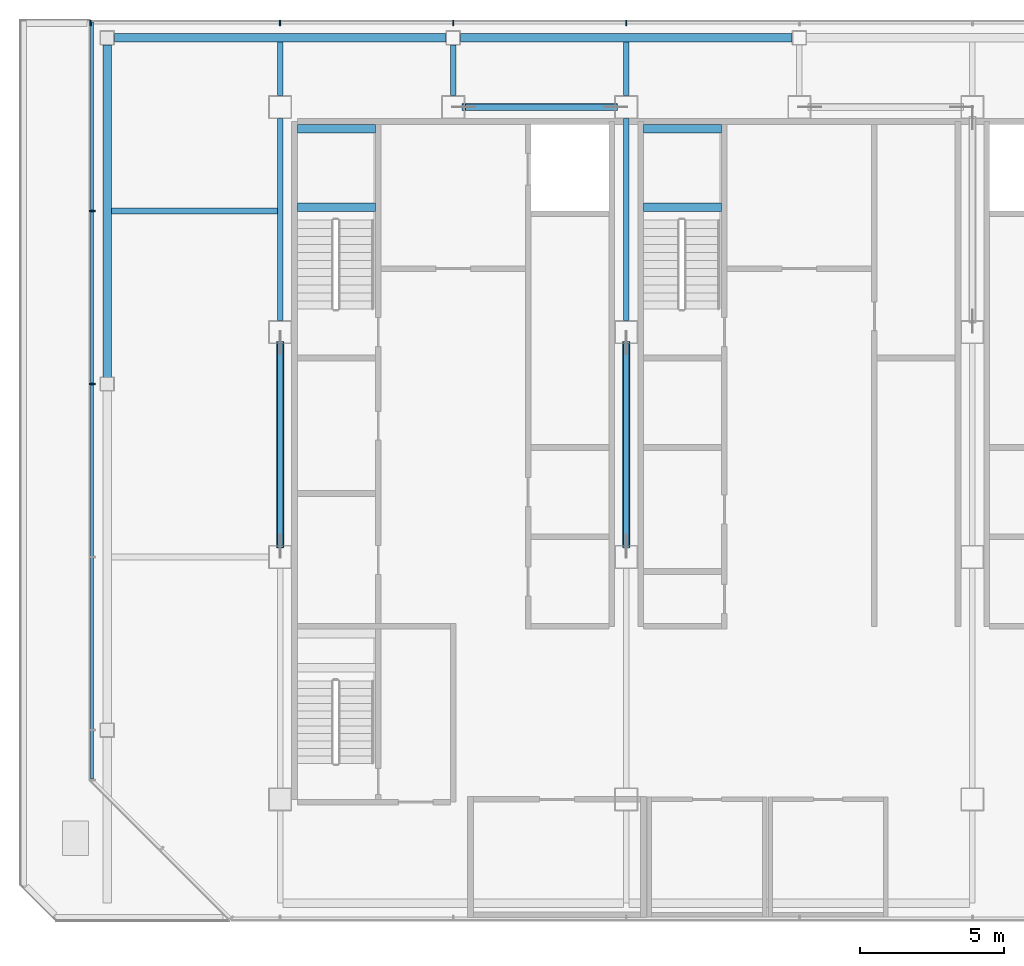
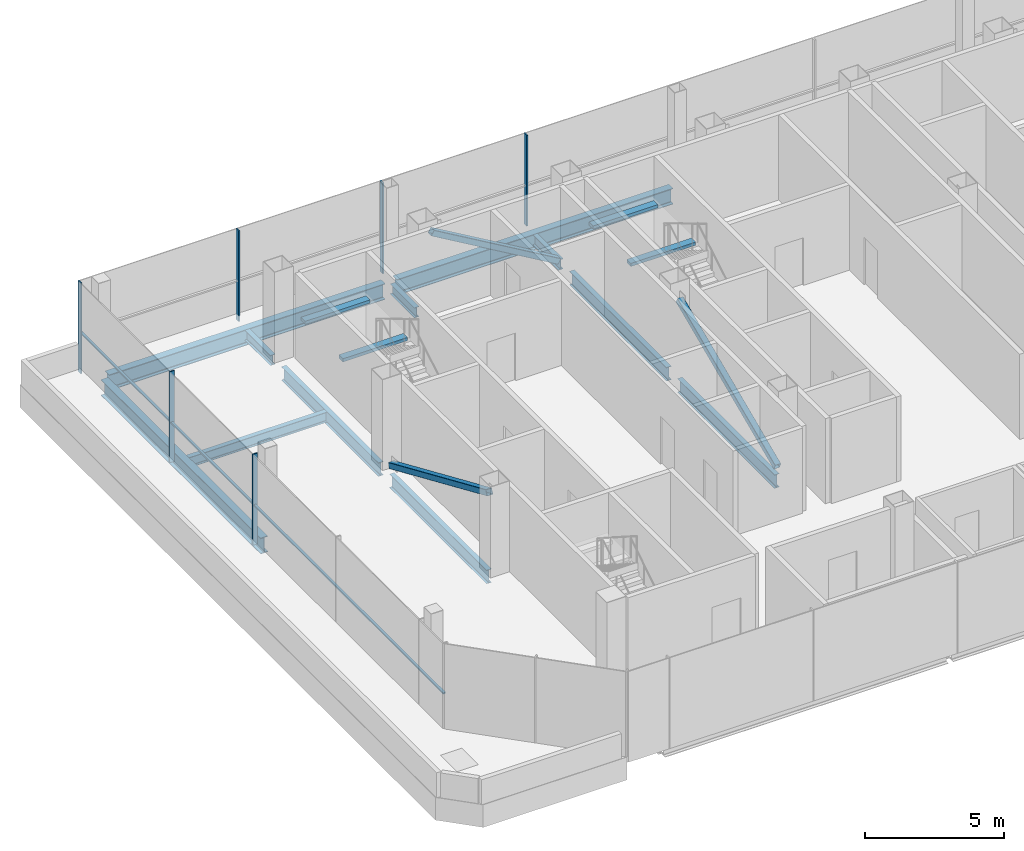
# One storey, part 4 of 11: 15 beams, 10 members, 2 elements without a shape of their own.
"""IFC4 building model written with IfcOpenShell, lengths in metres."""

from ifc_helpers import new_model, si_unit, direction, frame, origin, origin_2d, place, context, subcontext, project, spatial, rectangle, hollow_rectangle, i_section, extrude, material, material_profile, profile_set, type_object, element, aggregate, save


model = new_model("IFC4")

# Units and contexts
model_context = context("Model", 3, precision=1e-05, world=origin(), true_north=direction((0.0, 1.0)))
body_context = subcontext(model_context, "Body", "Model", "MODEL_VIEW")
ifc_project = project(units=[si_unit("LENGTHUNIT", "METRE"), si_unit("AREAUNIT", "SQUARE_METRE"), si_unit("VOLUMEUNIT", "CUBIC_METRE"), si_unit("PLANEANGLEUNIT", "RADIAN"), si_unit("MASSUNIT", "GRAM", prefix="KILO")], contexts=[model_context])

# Site, building, storey
site_placement = place(None, origin())
site = spatial("IfcSite", under=ifc_project, at=site_placement, CompositionType="ELEMENT")
building_placement = place(site_placement, origin())
building = spatial("IfcBuilding", under=site, at=building_placement, Name="Sorahane Residences", CompositionType="ELEMENT")
storey_placement = place(building_placement, frame((0.0, 0.0, 349.800048828125)))
storey = spatial("IfcBuildingStorey", under=building, at=storey_placement, Name="L83", CompositionType="ELEMENT", Elevation=349.800048828125)

# Members
ifc_material_1 = material(Name="Steel Q355B", Category="steel")
ifc_material_profile_1 = material_profile(ifc_material_1, hollow_rectangle(XDim=0.25, YDim=0.25, WallThickness=0.011962890625, InnerFilletRadius=0.006103515625, OuterFilletRadius=0.01806640625, at=origin_2d()), Name="RHS 250x250x12")
ifc_profile_set_1 = profile_set([ifc_material_profile_1], Name="Steel Q355B")
member_type_1 = type_object("IfcMemberType", Name="Core brace RHS 250x250x12 Q355B", PredefinedType="BRACE", material=ifc_profile_set_1)
member_1_placement = place(storey_placement, frame((17.637939453125, 45.60009765625, 0.102783203125), z_axis=(-0.862574842184, 0.0, 0.505929482864), x_axis=(0.0, -1.0, 0.0)))
element("IfcMember", 1, at=member_1_placement, inside=storey, type_object=member_type_1, Name="Core brace L83 y45.6-2", PredefinedType="BRACE", context=body_context, shape_type="SweptSolid", body=[
    extrude(hollow_rectangle(XDim=0.25, YDim=0.25, WallThickness=0.011962890625, InnerFilletRadius=0.006103515625, OuterFilletRadius=0.01806640625, at=origin_2d()), origin(), (0.0, 0.0, 1.0), 6.116455078125),
])
for number, where, z_axis, x_axis, name in (
    (2, (6.0, 37.429931640625, 0.11181640625), (0.0, -0.916752232611, 0.399456310506), (1.0, 0.0, 0.0), "Core brace L83 x6-2"),
    (3, (18.0, 30.3701171875, 0.11181640625), (0.0, 0.916752232611, 0.399456310506), (-1.0, 0.0, 0.0), "Core brace L83 x18-1"),
):
    element("IfcMember", number, at=place(storey_placement, frame(where, z_axis=z_axis, x_axis=x_axis)), inside=storey, type_object=member_type_1, Name=name, PredefinedType="BRACE", context=body_context, shape_type="SweptSolid", body=[
        extrude(hollow_rectangle(XDim=0.25, YDim=0.25, WallThickness=0.011962890625, InnerFilletRadius=0.006103515625, OuterFilletRadius=0.01806640625, at=origin_2d()), origin(), (0.0, 0.0, 1.0), 7.700927734375),
    ])

# Curtain wall, members
ifc_material_2 = material(Name="Dark low-e glass and black anodised aluminium", Category="aluminium")
curtain_wall_type = type_object("IfcCurtainWallType", Name="Curtain wall CW-6 Crown unitised wall", PredefinedType="NOTDEFINED", material=ifc_material_2)
curtain_wall_1_placement = place(storey_placement, origin())
curtain_wall_1 = element("IfcCurtainWall", 4, at=curtain_wall_1_placement, inside=storey, type_object=curtain_wall_type, Name="CW-6 curtain wall L83 N1", PredefinedType="NOTDEFINED")
ifc_material_3 = material(Name="Black anodised aluminium", Category="aluminium")
ifc_material_profile_2 = material_profile(ifc_material_3, rectangle(XDim=0.199951171875, YDim=0.050048828125, at=origin_2d()), Name="Curtain wall mullion CW-6 black anodised aluminium 50x200")
ifc_profile_set_2 = profile_set([ifc_material_profile_2], Name="Black anodised aluminium")
member_type_2 = type_object("IfcMemberType", Name="Curtain wall mullion CW-6 black anodised aluminium 50x200", PredefinedType="MULLION", material=ifc_profile_set_2)
member_2_placement = place(storey_placement, frame((18.0, 48.52001953125, -0.25), z_axis=(0.0, 0.0, 1.0), x_axis=(0.0, 1.0, 0.0)))
member_2 = element("IfcMember", 5, at=member_2_placement, type_object=member_type_2, Name="CW-6 mullion L83 N1.5", PredefinedType="MULLION", context=body_context, shape_type="SweptSolid", body=[
    extrude(rectangle(XDim=0.199951171875, YDim=0.050048828125, at=origin_2d()), origin(), (0.0, 0.0, 1.0), 4.0),
])
member_3_placement = place(storey_placement, frame((12.0, 48.52001953125, -0.25), z_axis=(0.0, 0.0, 1.0), x_axis=(0.0, 1.0, 0.0)))
member_3 = element("IfcMember", 6, at=member_3_placement, type_object=member_type_2, Name="CW-6 mullion L83 N1.6", PredefinedType="MULLION", context=body_context, shape_type="SweptSolid", body=[
    extrude(rectangle(XDim=0.199951171875, YDim=0.050048828125, at=origin_2d()), origin(), (0.0, 0.0, 1.0), 4.0),
])
member_4_placement = place(storey_placement, frame((6.0, 48.52001953125, -0.25), z_axis=(0.0, 0.0, 1.0), x_axis=(0.0, 1.0, 0.0)))
member_4 = element("IfcMember", 7, at=member_4_placement, type_object=member_type_2, Name="CW-6 mullion L83 N1.7", PredefinedType="MULLION", context=body_context, shape_type="SweptSolid", body=[
    extrude(rectangle(XDim=0.199951171875, YDim=0.050048828125, at=origin_2d()), origin(), (0.0, 0.0, 1.0), 4.0),
])
member_5_placement = place(storey_placement, frame((-0.574951171875, 48.52001953125, -0.25), z_axis=(0.0, 0.0, 1.0), x_axis=(0.0, 1.0, 0.0)))
member_5 = element("IfcMember", 8, at=member_5_placement, type_object=member_type_2, Name="CW-6 mullion L83 N1.8", PredefinedType="MULLION", context=body_context, shape_type="SweptSolid", body=[
    extrude(rectangle(XDim=0.199951171875, YDim=0.050048828125, at=origin_2d()), origin(), (0.0, 0.0, 1.0), 4.0),
])
aggregate(curtain_wall_1, [member_2, member_3, member_4, member_5])

curtain_wall_2_placement = place(storey_placement, origin())
curtain_wall_2 = element("IfcCurtainWall", 9, at=curtain_wall_2_placement, inside=storey, type_object=curtain_wall_type, Name="CW-6 curtain wall L83 W1", PredefinedType="NOTDEFINED")
member_6_placement = place(storey_placement, frame((-0.52001953125, 42.0, -0.25), z_axis=(0.0, 0.0, 1.0), x_axis=(-1.0, 0.0, 0.0)))
member_6 = element("IfcMember", 10, at=member_6_placement, type_object=member_type_2, Name="CW-6 mullion L83 W1.2", PredefinedType="MULLION", context=body_context, shape_type="SweptSolid", body=[
    extrude(rectangle(XDim=0.199951171875, YDim=0.050048828125, at=origin_2d()), origin(), (0.0, 0.0, 1.0), 4.0),
])
member_7_placement = place(storey_placement, frame((-0.52001953125, 36.0, -0.25), z_axis=(0.0, 0.0, 1.0), x_axis=(-1.0, 0.0, 0.0)))
member_7 = element("IfcMember", 11, at=member_7_placement, type_object=member_type_2, Name="CW-6 mullion L83 W1.3", PredefinedType="MULLION", context=body_context, shape_type="SweptSolid", body=[
    extrude(rectangle(XDim=0.199951171875, YDim=0.050048828125, at=origin_2d()), origin(), (0.0, 0.0, 1.0), 4.0),
])
ifc_material_4 = material(Name="Black anodised aluminium", Category="aluminium")
ifc_material_profile_3 = material_profile(ifc_material_4, rectangle(XDim=0.10009765625, YDim=0.06005859375, at=origin_2d()), Name="Curtain wall transom CW-6 black anodised aluminium 60x100")
ifc_profile_set_3 = profile_set([ifc_material_profile_3], Name="Black anodised aluminium")
member_type_3 = type_object("IfcMemberType", Name="Curtain wall transom CW-6 black anodised aluminium 60x100", PredefinedType="USERDEFINED", material=ifc_profile_set_3)
member_8_placement = place(storey_placement, frame((-0.530029296875, 48.550048828125, 1.5), z_axis=(0.0, -1.0, 0.0), x_axis=(1.0, 0.0, 0.0)))
member_8 = element("IfcMember", 12, at=member_8_placement, type_object=member_type_3, Name="CW-6 transom L83 W1", ObjectType="TRANSOM", PredefinedType="USERDEFINED", context=body_context, shape_type="SweptSolid", body=[
    extrude(rectangle(XDim=0.10009765625, YDim=0.06005859375, at=origin_2d()), origin(), (0.0, 0.0, 1.0), 26.24853515625),
])
aggregate(curtain_wall_2, [member_6, member_7, member_8])

# Beams
ifc_material_5 = material(Name="Concrete C40", Category="concrete")
ifc_material_profile_4 = material_profile(ifc_material_5, rectangle(XDim=0.300048828125, YDim=0.139892578125, at=origin_2d()), Name="300x140")
ifc_profile_set_4 = profile_set([ifc_material_profile_4], Name="Concrete C40")
beam_type_1 = type_object("IfcBeamType", Name="RC landing beam 300 x 140 Concrete C40", PredefinedType="BEAM", material=ifc_profile_set_4)
for number, where, z_axis, x_axis, name in (
    (13, (6.60009765625, 42.1298828125, 1.72998046875), (1.0, 0.0, 0.0), (0.0, 1.0, 0.0), "Landing beam"),
    (14, (6.60009765625, 44.85009765625, 1.72998046875), (1.0, 0.0, 0.0), (0.0, 1.0, 0.0), "Landing beam"),
    (15, (18.60009765625, 42.1298828125, 1.72998046875), (1.0, 0.0, 0.0), (0.0, 1.0, 0.0), "Landing beam"),
    (16, (18.60009765625, 44.85009765625, 1.72998046875), (1.0, 0.0, 0.0), (0.0, 1.0, 0.0), "Landing beam"),
):
    element("IfcBeam", number, at=place(storey_placement, frame(where, z_axis=z_axis, x_axis=x_axis)), inside=storey, type_object=beam_type_1, Name=name, PredefinedType="BEAM", context=body_context, shape_type="SweptSolid", body=[
        extrude(rectangle(XDim=0.300048828125, YDim=0.139892578125, at=origin_2d()), origin(), (0.0, 0.0, 1.0), 2.699951171875),
    ])
ifc_material_6 = material(Name="Steel Q355B", Category="steel")
ifc_material_profile_5 = material_profile(ifc_material_6, i_section(OverallWidth=0.199951171875, OverallDepth=0.449951171875, WebThickness=0.009033203125, FlangeThickness=0.013916015625, FilletRadius=0.02001953125, at=origin_2d()), Name="HN 450x200x9x14")
ifc_profile_set_5 = profile_set([ifc_material_profile_5], Name="Steel Q355B")
beam_type_2 = type_object("IfcBeamType", Name="Steel floor beam HN 450x200x9x14 Q355B", PredefinedType="BEAM", material=ifc_profile_set_5)
beam_1_placement = place(storey_placement, frame((6.0, 46.0, -0.47509765625), z_axis=(0.0, 1.0, 0.0), x_axis=(-1.0, 0.0, 0.0)))
element("IfcBeam", 17, at=beam_1_placement, inside=storey, type_object=beam_type_2, Name="Beam L83 010", PredefinedType="BEAM", context=body_context, shape_type="SweptSolid", body=[
    extrude(i_section(OverallWidth=0.199951171875, OverallDepth=0.449951171875, WebThickness=0.009033203125, FlangeThickness=0.013916015625, FilletRadius=0.02001953125, at=origin_2d()), origin(), (0.0, 0.0, 1.0), 1.85009765625),
])
beam_2_placement = place(storey_placement, frame((12.0, 46.0, -0.47509765625), z_axis=(0.0, 1.0, 0.0), x_axis=(-1.0, 0.0, 0.0)))
element("IfcBeam", 18, at=beam_2_placement, inside=storey, type_object=beam_type_2, Name="Beam L83 012", PredefinedType="BEAM", context=body_context, shape_type="SweptSolid", body=[
    extrude(i_section(OverallWidth=0.199951171875, OverallDepth=0.449951171875, WebThickness=0.009033203125, FlangeThickness=0.013916015625, FilletRadius=0.02001953125, at=origin_2d()), origin(), (0.0, 0.0, 1.0), 1.75),
])
beam_3_placement = place(storey_placement, frame((18.0, 46.0, -0.47509765625), z_axis=(0.0, 1.0, 0.0), x_axis=(-1.0, 0.0, 0.0)))
element("IfcBeam", 19, at=beam_3_placement, inside=storey, type_object=beam_type_2, Name="Beam L83 016", PredefinedType="BEAM", context=body_context, shape_type="SweptSolid", body=[
    extrude(i_section(OverallWidth=0.199951171875, OverallDepth=0.449951171875, WebThickness=0.009033203125, FlangeThickness=0.013916015625, FilletRadius=0.02001953125, at=origin_2d()), origin(), (0.0, 0.0, 1.0), 1.85009765625),
])
beam_4_placement = place(storey_placement, frame((0.14990234375, 42.0, -0.47509765625), z_axis=(1.0, 0.0, 0.0), x_axis=(0.0, 1.0, 0.0)))
element("IfcBeam", 20, at=beam_4_placement, inside=storey, type_object=beam_type_2, Name="Beam L83 030", PredefinedType="BEAM", context=body_context, shape_type="SweptSolid", body=[
    extrude(i_section(OverallWidth=0.199951171875, OverallDepth=0.449951171875, WebThickness=0.009033203125, FlangeThickness=0.013916015625, FilletRadius=0.02001953125, at=origin_2d()), origin(), (0.0, 0.0, 1.0), 5.75),
])
ifc_material_7 = material(Name="Steel Q355B", Category="steel")
ifc_material_profile_6 = material_profile(ifc_material_7, i_section(OverallWidth=0.199951171875, OverallDepth=0.60009765625, WebThickness=0.010986328125, FlangeThickness=0.01708984375, FilletRadius=0.02392578125, at=origin_2d()), Name="HN 600x200x11x17")
ifc_profile_set_6 = profile_set([ifc_material_profile_6], Name="Steel Q355B")
beam_type_3 = type_object("IfcBeamType", Name="Steel floor beam HN 600x200x11x17 Q355B", PredefinedType="BEAM", material=ifc_profile_set_6)
for number, where, z_axis, x_axis, name in (
    (21, (6.0, 30.39990234375, -0.550048828125), (0.0, 1.0, 0.0), (-1.0, 0.0, 0.0), "Beam L83 008"),
    (22, (6.0, 38.199951171875, -0.550048828125), (0.0, 1.0, 0.0), (-1.0, 0.0, 0.0), "Beam L83 009"),
    (23, (18.0, 30.39990234375, -0.550048828125), (0.0, 1.0, 0.0), (-1.0, 0.0, 0.0), "Beam L83 014"),
    (24, (18.0, 38.199951171875, -0.550048828125), (0.0, 1.0, 0.0), (-1.0, 0.0, 0.0), "Beam L83 015"),
):
    element("IfcBeam", number, at=place(storey_placement, frame(where, z_axis=z_axis, x_axis=x_axis)), inside=storey, type_object=beam_type_3, Name=name, PredefinedType="BEAM", context=body_context, shape_type="SweptSolid", body=[
        extrude(i_section(OverallWidth=0.199951171875, OverallDepth=0.60009765625, WebThickness=0.010986328125, FlangeThickness=0.01708984375, FilletRadius=0.02392578125, at=origin_2d()), origin(), (0.0, 0.0, 1.0), 7.0),
    ])
ifc_material_8 = material(Name="Steel Q355B", Category="steel")
ifc_material_profile_7 = material_profile(ifc_material_8, i_section(OverallWidth=0.300048828125, OverallDepth=0.699951171875, WebThickness=0.012939453125, FlangeThickness=0.02392578125, FilletRadius=0.028076171875, at=origin_2d()), Name="HN 700x300x13x24")
ifc_profile_set_7 = profile_set([ifc_material_profile_7], Name="Steel Q355B")
beam_type_4 = type_object("IfcBeamType", Name="Steel floor beam HN 700x300x13x24 Q355B", PredefinedType="BEAM", material=ifc_profile_set_7)
for number, where, z_axis, x_axis, name in (
    (25, (0.25, 48.0, -0.60009765625), (1.0, 0.0, 0.0), (0.0, 1.0, 0.0), "Beam L83 000"),
    (26, (12.25, 48.0, -0.60009765625), (1.0, 0.0, 0.0), (0.0, 1.0, 0.0), "Beam L83 001"),
):
    element("IfcBeam", number, at=place(storey_placement, frame(where, z_axis=z_axis, x_axis=x_axis)), inside=storey, type_object=beam_type_4, Name=name, PredefinedType="BEAM", context=body_context, shape_type="SweptSolid", body=[
        extrude(i_section(OverallWidth=0.300048828125, OverallDepth=0.699951171875, WebThickness=0.012939453125, FlangeThickness=0.02392578125, FilletRadius=0.028076171875, at=origin_2d()), origin(), (0.0, 0.0, 1.0), 11.5),
    ])
beam_5_placement = place(storey_placement, frame((0.0, 36.22509765625, -0.60009765625), z_axis=(0.0, 1.0, 0.0), x_axis=(-1.0, 0.0, 0.0)))
element("IfcBeam", 27, at=beam_5_placement, inside=storey, type_object=beam_type_4, Name="Beam L83 005", PredefinedType="BEAM", context=body_context, shape_type="SweptSolid", body=[
    extrude(i_section(OverallWidth=0.300048828125, OverallDepth=0.699951171875, WebThickness=0.012939453125, FlangeThickness=0.02392578125, FilletRadius=0.028076171875, at=origin_2d()), origin(), (0.0, 0.0, 1.0), 11.52490234375),
])

save(model, "model.ifc")
